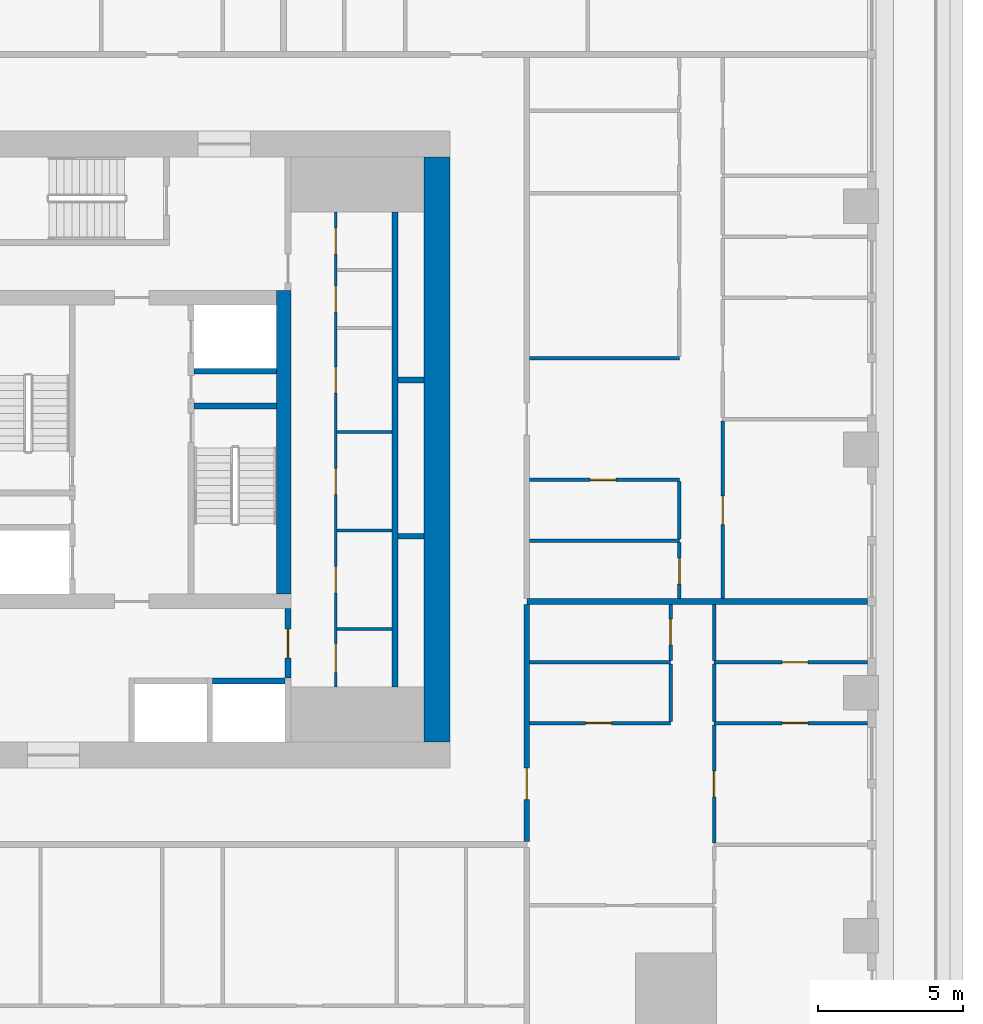
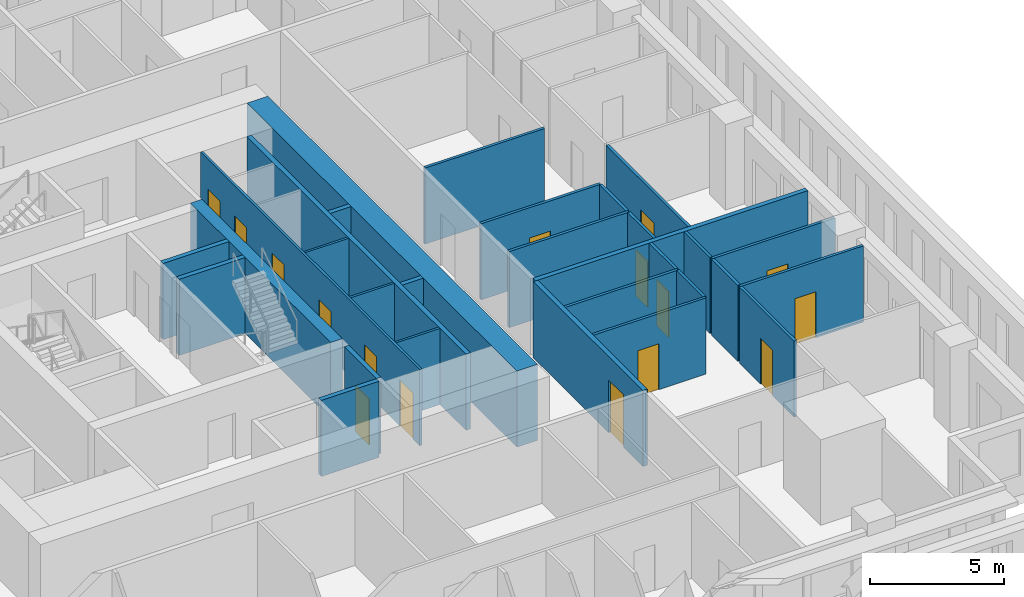
# One storey, part 5 of 14: 30 walls, 16 doors, 16 openings.
"""IFC4 building model written with IfcOpenShell, lengths in metres."""

from ifc_helpers import new_model, si_unit, direction, frame, frame_2d, origin, place, context, subcontext, project, spatial, rectangle, extrude, material, layer, layer_set, type_object, element, fill, save


model = new_model("IFC4")

# Units and contexts
model_context = context("Model", 3, precision=1e-05, world=origin(), true_north=direction((0.0, 1.0)))
body_context = subcontext(model_context, "Body", "Model", "MODEL_VIEW")
ifc_project = project(units=[si_unit("LENGTHUNIT", "METRE"), si_unit("AREAUNIT", "SQUARE_METRE"), si_unit("VOLUMEUNIT", "CUBIC_METRE"), si_unit("PLANEANGLEUNIT", "RADIAN"), si_unit("MASSUNIT", "GRAM", prefix="KILO")], contexts=[model_context])

# Site, building, storey
site_placement = place(None, origin())
site = spatial("IfcSite", under=ifc_project, at=site_placement, CompositionType="ELEMENT")
building_placement = place(site_placement, origin())
building = spatial("IfcBuilding", under=site, at=building_placement, Name="Khepri Terraces", CompositionType="ELEMENT")
storey_placement = place(building_placement, frame((0.0, 0.0, 106.5)))
storey = spatial("IfcBuildingStorey", under=building, at=storey_placement, Name="L25", CompositionType="ELEMENT", Elevation=106.5)

# Walls
ifc_material_1 = material(Name="Concrete C70/85", Category="concrete")
ifc_layer_1 = layer(ifc_material_1, 0.199951171875, Name="Concrete C70/85", Category="concrete")
ifc_layer_set_1 = layer_set([ifc_layer_1], Name="Concrete C70/85")
wall_type_1 = type_object("IfcWallType", Name="Core wall 200 C70/85", PredefinedType="SHEAR", material=ifc_layer_set_1)
wall_1_placement = place(storey_placement, frame((2.14990234375, 1.5, 0.0), z_axis=(0.0, 0.0, 1.0), x_axis=(1.0, 0.0, 0.0)))
element("IfcWall", 1, at=wall_1_placement, inside=storey, type_object=wall_type_1, Name="Core wall ST04 L25", PredefinedType="SHEAR", context=body_context, shape_type="SweptSolid", body=[
    extrude(rectangle(XDim=2.85009765625, YDim=0.199951171875, at=frame_2d((1.425048828125, 0.0))), origin(), (0.0, 0.0, 1.0), 3.47998046875),
])
wall_2_placement = place(storey_placement, frame((9.10009765625, -8.199951171875, 0.0), z_axis=(0.0, 0.0, 1.0), x_axis=(0.0, 1.0, 0.0)))
element("IfcWall", 2, at=wall_2_placement, inside=storey, type_object=wall_type_1, Name="Core wall SH05 L25", PredefinedType="SHEAR", context=body_context, shape_type="SweptSolid", body=[
    extrude(rectangle(XDim=16.39990234375, YDim=0.199951171875, at=frame_2d((8.199951171875, 0.0))), origin(), (0.0, 0.0, 1.0), 3.47998046875),
])
wall_3_placement = place(storey_placement, frame((2.800048828125, -8.0, 0.0), z_axis=(0.0, 0.0, 1.0), x_axis=(1.0, 0.0, 0.0)))
element("IfcWall", 3, at=wall_3_placement, inside=storey, type_object=wall_type_1, Name="Core wall SH07 L25", PredefinedType="SHEAR", context=body_context, shape_type="SweptSolid", body=[
    extrude(rectangle(XDim=2.5, YDim=0.199951171875, at=frame_2d((1.25, 0.0))), origin(), (0.0, 0.0, 1.0), 3.47998046875),
])
for number, where, z_axis, x_axis, name in (
    (4, (9.199951171875, -3.0, 0.0), (0.0, 0.0, 1.0), (1.0, 0.0, 0.0), "Core wall SH11 L25"),
    (5, (9.199951171875, 2.39990234375, 0.0), (0.0, 0.0, 1.0), (1.0, 0.0, 0.0), "Core wall SH16 L25"),
):
    element("IfcWall", number, at=place(storey_placement, frame(where, z_axis=z_axis, x_axis=x_axis)), inside=storey, type_object=wall_type_1, Name=name, PredefinedType="SHEAR", context=body_context, shape_type="SweptSolid", body=[
        extrude(rectangle(XDim=0.900146484375, YDim=0.199951171875, at=frame_2d((0.4501953125, 0.0))), origin(), (0.0, 0.0, 1.0), 3.47998046875),
    ])
wall_4_placement = place(storey_placement, frame((2.14990234375, 2.699951171875, 0.0), z_axis=(0.0, 0.0, 1.0), x_axis=(1.0, 0.0, 0.0)))
element("IfcWall", 6, at=wall_4_placement, inside=storey, type_object=wall_type_1, Name="Core wall SH18 L25", PredefinedType="SHEAR", context=body_context, shape_type="SweptSolid", body=[
    extrude(rectangle(XDim=2.85009765625, YDim=0.199951171875, at=frame_2d((1.425048828125, 0.0))), origin(), (0.0, 0.0, 1.0), 3.47998046875),
])
ifc_layer_2 = layer(ifc_material_1, 0.5, Name="Concrete C70/85", Category="concrete")
ifc_layer_set_2 = layer_set([ifc_layer_2], Name="Concrete C70/85")
wall_type_2 = type_object("IfcWallType", Name="Core wall 500 C70/85", PredefinedType="SHEAR", material=ifc_layer_set_2)
wall_5_placement = place(storey_placement, frame((5.25, -5.0, 0.0), z_axis=(0.0, 0.0, 1.0), x_axis=(0.0, 1.0, 0.0)))
element("IfcWall", 7, at=wall_5_placement, inside=storey, type_object=wall_type_2, Name="Core wall BX03 L25", PredefinedType="SHEAR", context=body_context, shape_type="SweptSolid", body=[
    extrude(rectangle(XDim=10.5, YDim=0.5, at=frame_2d((5.25, 0.0))), origin(), (0.0, 0.0, 1.0), 3.47998046875),
])
ifc_layer_3 = layer(ifc_material_1, 0.89990234375, Name="Concrete C70/85", Category="concrete")
ifc_layer_set_3 = layer_set([ifc_layer_3], Name="Concrete C70/85")
wall_type_3 = type_object("IfcWallType", Name="Core wall 900 C70/85", PredefinedType="SHEAR", material=ifc_layer_set_3)
wall_6_placement = place(storey_placement, frame((10.550048828125, -10.10009765625, 0.0), z_axis=(0.0, 0.0, 1.0), x_axis=(0.0, 1.0, 0.0)))
element("IfcWall", 8, at=wall_6_placement, inside=storey, type_object=wall_type_3, Name="Core wall OW-E L25", PredefinedType="SHEAR", context=body_context, shape_type="SweptSolid", body=[
    extrude(rectangle(XDim=20.2001953125, YDim=0.89990234375, at=frame_2d((10.10009765625, 0.0))), origin(), (0.0, 0.0, 1.0), 3.47998046875),
])

# Wall, openings, doors
ifc_material_2 = material(Name="Fire-rated gypsum board partition")
ifc_layer_4 = layer(ifc_material_2, 0.10009765625, Name="Fire-rated gypsum board partition")
ifc_layer_set_4 = layer_set([ifc_layer_4], Name="Fire-rated gypsum board partition")
wall_type_4 = type_object("IfcWallType", Name="WL-CORE-PART-100", PredefinedType="PARTITIONING", material=ifc_layer_set_4)
wall_7_placement = place(storey_placement, frame((7.050048828125, -8.199951171875, 0.0), z_axis=(0.0, 0.0, 1.0), x_axis=(0.0, 1.0, 0.0)))
wall_7 = element("IfcWall", 9, at=wall_7_placement, inside=storey, type_object=wall_type_4, Name="Core partition PT02 L25", PredefinedType="PARTITIONING", context=body_context, shape_type="SweptSolid", body=[
    extrude(rectangle(XDim=16.39990234375, YDim=0.10009765625, at=frame_2d((8.199951171875, 0.0))), origin(), (0.0, 0.0, 1.0), 3.47998046875),
])
opening_1_placement = place(wall_7_placement, frame((0.5, 0.0, 0.0)))
opening_1 = element("IfcOpeningElement", 10, at=opening_1_placement, cuts=wall_7, Name="Opening L25-C22", PredefinedType="OPENING", context=body_context, shape_type="SweptSolid", body=[
    extrude(rectangle(XDim=1.0, YDim=2.10009765625, at=frame_2d((0.5, 1.050048828125))), frame((0.0, 0.06005859375, 0.0), z_axis=(0.0, -1.0, 0.0), x_axis=(1.0, 0.0, 0.0)), (0.0, 0.0, 1.0), 0.1201171875),
])
opening_2_placement = place(wall_7_placement, frame((3.25, 0.0, 0.0)))
opening_2 = element("IfcOpeningElement", 11, at=opening_2_placement, cuts=wall_7, Name="Opening L25-C23", PredefinedType="OPENING", context=body_context, shape_type="SweptSolid", body=[
    extrude(rectangle(XDim=0.89990234375, YDim=2.10009765625, at=frame_2d((0.449951171875, 1.050048828125))), frame((0.0, 0.06005859375, 0.0), z_axis=(0.0, -1.0, 0.0), x_axis=(1.0, 0.0, 0.0)), (0.0, 0.0, 1.0), 0.1201171875),
])
opening_3_placement = place(wall_7_placement, frame((6.64990234375, 0.0, 0.0)))
opening_3 = element("IfcOpeningElement", 12, at=opening_3_placement, cuts=wall_7, Name="Opening L25-C24", PredefinedType="OPENING", context=body_context, shape_type="SweptSolid", body=[
    extrude(rectangle(XDim=0.89990234375, YDim=2.10009765625, at=frame_2d((0.449951171875, 1.050048828125))), frame((0.0, 0.06005859375, 0.0), z_axis=(0.0, -1.0, 0.0), x_axis=(1.0, 0.0, 0.0)), (0.0, 0.0, 1.0), 0.1201171875),
])
opening_4_placement = place(wall_7_placement, frame((10.14990234375, 0.0, 0.0)))
opening_4 = element("IfcOpeningElement", 13, at=opening_4_placement, cuts=wall_7, Name="Opening L25-C25", PredefinedType="OPENING", context=body_context, shape_type="SweptSolid", body=[
    extrude(rectangle(XDim=0.89990234375, YDim=2.10009765625, at=frame_2d((0.449951171875, 1.050048828125))), frame((0.0, 0.06005859375, 0.0), z_axis=(0.0, -1.0, 0.0), x_axis=(1.0, 0.0, 0.0)), (0.0, 0.0, 1.0), 0.1201171875),
])
opening_5_placement = place(wall_7_placement, frame((12.949951171875, 0.0, 0.0)))
opening_5 = element("IfcOpeningElement", 14, at=opening_5_placement, cuts=wall_7, Name="Opening L25-C26", PredefinedType="OPENING", context=body_context, shape_type="SweptSolid", body=[
    extrude(rectangle(XDim=0.89990234375, YDim=2.10009765625, at=frame_2d((0.449951171875, 1.050048828125))), frame((0.0, 0.06005859375, 0.0), z_axis=(0.0, -1.0, 0.0), x_axis=(1.0, 0.0, 0.0)), (0.0, 0.0, 1.0), 0.1201171875),
])
opening_6_placement = place(wall_7_placement, frame((14.949951171875, 0.0, 0.0)))
opening_6 = element("IfcOpeningElement", 15, at=opening_6_placement, cuts=wall_7, Name="Opening L25-C27", PredefinedType="OPENING", context=body_context, shape_type="SweptSolid", body=[
    extrude(rectangle(XDim=0.89990234375, YDim=2.10009765625, at=frame_2d((0.449951171875, 1.050048828125))), frame((0.0, 0.06005859375, 0.0), z_axis=(0.0, -1.0, 0.0), x_axis=(1.0, 0.0, 0.0)), (0.0, 0.0, 1.0), 0.1201171875),
])
ifc_material_3 = material(Name="Painted steel", Category="steel")
door_type_1 = type_object("IfcDoorType", Name="DR-CORE-SERVICE-900", OperationType="NOTDEFINED", PredefinedType="DOOR", material=ifc_material_3)
door_1_placement = place(opening_2_placement, frame((0.89990234375, 0.0, 0.0), z_axis=(0.0, 0.0, 1.0), x_axis=(-1.0, 0.0, 0.0)))
door_1 = element("IfcDoor", 16, at=door_1_placement, inside=storey, type_object=door_type_1, Name="Service room door L25-C23", OperationType="SINGLE_SWING_RIGHT", OverallHeight=2.10009765625, OverallWidth=0.89990234375, PredefinedType="DOOR", context=body_context, shape_type="SweptSolid", body=[
    extrude(rectangle(XDim=0.89990234375, YDim=2.10009765625, at=frame_2d((0.449951171875, 1.050048828125))), frame((0.0, 0.02490234375, 0.0), z_axis=(0.0, -1.0, 0.0), x_axis=(1.0, 0.0, 0.0)), (0.0, 0.0, 1.0), 0.050048828125),
])
fill(opening_2, door_1)
door_2_placement = place(opening_3_placement, frame((0.89990234375, 0.0, 0.0), z_axis=(0.0, 0.0, 1.0), x_axis=(-1.0, 0.0, 0.0)))
door_2 = element("IfcDoor", 17, at=door_2_placement, inside=storey, type_object=door_type_1, Name="Service room door L25-C24", OperationType="SINGLE_SWING_RIGHT", OverallHeight=2.10009765625, OverallWidth=0.89990234375, PredefinedType="DOOR", context=body_context, shape_type="SweptSolid", body=[
    extrude(rectangle(XDim=0.89990234375, YDim=2.10009765625, at=frame_2d((0.449951171875, 1.050048828125))), frame((0.0, 0.02490234375, 0.0), z_axis=(0.0, -1.0, 0.0), x_axis=(1.0, 0.0, 0.0)), (0.0, 0.0, 1.0), 0.050048828125),
])
fill(opening_3, door_2)
door_3_placement = place(opening_4_placement, frame((0.89990234375, 0.0, 0.0), z_axis=(0.0, 0.0, 1.0), x_axis=(-1.0, 0.0, 0.0)))
door_3 = element("IfcDoor", 18, at=door_3_placement, inside=storey, type_object=door_type_1, Name="Service room door L25-C25", OperationType="SINGLE_SWING_LEFT", OverallHeight=2.10009765625, OverallWidth=0.89990234375, PredefinedType="DOOR", context=body_context, shape_type="SweptSolid", body=[
    extrude(rectangle(XDim=0.89990234375, YDim=2.10009765625, at=frame_2d((0.449951171875, 1.050048828125))), frame((0.0, 0.02490234375, 0.0), z_axis=(0.0, -1.0, 0.0), x_axis=(1.0, 0.0, 0.0)), (0.0, 0.0, 1.0), 0.050048828125),
])
fill(opening_4, door_3)
door_4_placement = place(opening_5_placement, frame((0.89990234375, 0.0, 0.0), z_axis=(0.0, 0.0, 1.0), x_axis=(-1.0, 0.0, 0.0)))
door_4 = element("IfcDoor", 19, at=door_4_placement, inside=storey, type_object=door_type_1, Name="Service room door L25-C26", OperationType="SINGLE_SWING_LEFT", OverallHeight=2.10009765625, OverallWidth=0.89990234375, PredefinedType="DOOR", context=body_context, shape_type="SweptSolid", body=[
    extrude(rectangle(XDim=0.89990234375, YDim=2.10009765625, at=frame_2d((0.449951171875, 1.050048828125))), frame((0.0, 0.02490234375, 0.0), z_axis=(0.0, -1.0, 0.0), x_axis=(1.0, 0.0, 0.0)), (0.0, 0.0, 1.0), 0.050048828125),
])
fill(opening_5, door_4)
door_5_placement = place(opening_6_placement, frame((0.89990234375, 0.0, 0.0), z_axis=(0.0, 0.0, 1.0), x_axis=(-1.0, 0.0, 0.0)))
door_5 = element("IfcDoor", 20, at=door_5_placement, inside=storey, type_object=door_type_1, Name="Service room door L25-C27", OperationType="SINGLE_SWING_LEFT", OverallHeight=2.10009765625, OverallWidth=0.89990234375, PredefinedType="DOOR", context=body_context, shape_type="SweptSolid", body=[
    extrude(rectangle(XDim=0.89990234375, YDim=2.10009765625, at=frame_2d((0.449951171875, 1.050048828125))), frame((0.0, 0.02490234375, 0.0), z_axis=(0.0, -1.0, 0.0), x_axis=(1.0, 0.0, 0.0)), (0.0, 0.0, 1.0), 0.050048828125),
])
fill(opening_6, door_5)
ifc_material_4 = material(Name="Timber veneer", Category="wood")
door_type_2 = type_object("IfcDoorType", Name="DR-CORE-WC-1000", OperationType="NOTDEFINED", PredefinedType="DOOR", material=ifc_material_4)
door_6_placement = place(opening_1_placement, frame((1.0, 0.0, 0.0), z_axis=(0.0, 0.0, 1.0), x_axis=(-1.0, 0.0, 0.0)))
door_6 = element("IfcDoor", 21, at=door_6_placement, inside=storey, type_object=door_type_2, Name="WC door L25-C22", OperationType="SINGLE_SWING_RIGHT", OverallHeight=2.10009765625, OverallWidth=1.0, PredefinedType="DOOR", context=body_context, shape_type="SweptSolid", body=[
    extrude(rectangle(XDim=1.0, YDim=2.10009765625, at=frame_2d((0.5, 1.050048828125))), frame((0.0, 0.02490234375, 0.0), z_axis=(0.0, -1.0, 0.0), x_axis=(1.0, 0.0, 0.0)), (0.0, 0.0, 1.0), 0.050048828125),
])
fill(opening_1, door_6)

# Walls
for number, where, z_axis, x_axis, name in (
    (22, (7.10009765625, -6.199951171875, 0.0), (0.0, 0.0, 1.0), (1.0, 0.0, 0.0), "Core partition PT04 L25"),
    (23, (7.10009765625, -2.800048828125, 0.0), (0.0, 0.0, 1.0), (1.0, 0.0, 0.0), "Core partition PT05 L25"),
    (24, (7.10009765625, 0.60009765625, 0.0), (0.0, 0.0, 1.0), (1.0, 0.0, 0.0), "Core partition PT06 L25"),
):
    element("IfcWall", number, at=place(storey_placement, frame(where, z_axis=z_axis, x_axis=x_axis)), inside=storey, type_object=wall_type_4, Name=name, PredefinedType="PARTITIONING", context=body_context, shape_type="SweptSolid", body=[
        extrude(rectangle(XDim=1.89990234375, YDim=0.10009765625, at=frame_2d((0.949951171875, 0.0))), origin(), (0.0, 0.0, 1.0), 3.47998046875),
    ])

# Wall, opening, door
ifc_layer_5 = layer(ifc_material_2, 0.199951171875, Name="Fire-rated gypsum board partition")
ifc_layer_set_5 = layer_set([ifc_layer_5], Name="Fire-rated gypsum board partition")
wall_type_5 = type_object("IfcWallType", Name="WL-CORE-PART-200", PredefinedType="PARTITIONING", material=ifc_layer_set_5)
wall_8_placement = place(storey_placement, frame((5.39990234375, -7.89990234375, 0.0), z_axis=(0.0, 0.0, 1.0), x_axis=(0.0, 1.0, 0.0)))
wall_8 = element("IfcWall", 25, at=wall_8_placement, inside=storey, type_object=wall_type_5, Name="Core partition PT03 L25", PredefinedType="PARTITIONING", context=body_context, shape_type="SweptSolid", body=[
    extrude(rectangle(XDim=2.39990234375, YDim=0.199951171875, at=frame_2d((1.199951171875, 0.0))), origin(), (0.0, 0.0, 1.0), 3.47998046875),
])
opening_7_placement = place(wall_8_placement, frame((0.699951171875, 0.0, 0.0)))
opening_7 = element("IfcOpeningElement", 26, at=opening_7_placement, cuts=wall_8, Name="Opening L25-C19", PredefinedType="OPENING", context=body_context, shape_type="SweptSolid", body=[
    extrude(rectangle(XDim=1.0, YDim=2.10009765625, at=frame_2d((0.5, 1.050048828125))), frame((0.0, 0.10986328125, 0.0), z_axis=(0.0, -1.0, 0.0), x_axis=(1.0, 0.0, 0.0)), (0.0, 0.0, 1.0), 0.219970703125),
])
door_type_3 = type_object("IfcDoorType", Name="DR-CORE-LOBBY-1000", OperationType="NOTDEFINED", PredefinedType="DOOR", material=ifc_material_3)
door_7_placement = place(opening_7_placement, origin())
door_7 = element("IfcDoor", 27, at=door_7_placement, inside=storey, type_object=door_type_3, Name="Lobby door L25-C19", OperationType="SINGLE_SWING_RIGHT", OverallHeight=2.10009765625, OverallWidth=1.0, PredefinedType="DOOR", context=body_context, shape_type="SweptSolid", body=[
    extrude(rectangle(XDim=1.0, YDim=2.10009765625, at=frame_2d((0.5, 1.050048828125))), frame((0.0, 0.02490234375, 0.0), z_axis=(0.0, -1.0, 0.0), x_axis=(1.0, 0.0, 0.0)), (0.0, 0.0, 1.0), 0.050048828125),
])
fill(opening_7, door_7)

ifc_material_5 = material(Name="Fire-rated gypsum plasterboard partition, mineral wool")
ifc_layer_6 = layer(ifc_material_5, 0.199951171875, Name="Fire-rated gypsum plasterboard partition, mineral wool")
ifc_layer_set_6 = layer_set([ifc_layer_6], Name="Fire-rated gypsum plasterboard partition, mineral wool")
wall_type_6 = type_object("IfcWallType", Name="WL-CORR-200", PredefinedType="PARTITIONING", material=ifc_layer_set_6)
wall_9_placement = place(storey_placement, frame((13.64990234375, -13.550048828125, 0.0), z_axis=(0.0, 0.0, 1.0), x_axis=(0.0, 1.0, 0.0)))
wall_9 = element("IfcWall", 28, at=wall_9_placement, inside=storey, type_object=wall_type_6, Name="Partition P-027 L25", PredefinedType="PARTITIONING", context=body_context, shape_type="SweptSolid", body=[
    extrude(rectangle(XDim=8.199951171875, YDim=0.199951171875, at=frame_2d((4.10009765625, 0.0))), origin(), (0.0, 0.0, 1.0), 3.47998046875),
])
opening_8_placement = place(wall_9_placement, frame((1.449951171875, 0.0, 0.0)))
opening_8 = element("IfcOpeningElement", 29, at=opening_8_placement, cuts=wall_9, Name="Opening D1", PredefinedType="OPENING", context=body_context, shape_type="SweptSolid", body=[
    extrude(rectangle(XDim=1.10009765625, YDim=2.39990234375, at=frame_2d((0.550048828125, 1.199951171875))), frame((0.0, 0.10986328125, 0.0), z_axis=(0.0, -1.0, 0.0), x_axis=(1.0, 0.0, 0.0)), (0.0, 0.0, 1.0), 0.219970703125),
])
ifc_material_6 = material(Name="Solid-core timber door leaf, flat entrance door", Category="wood")
door_type_4 = type_object("IfcDoorType", Name="DR-ENT-1100", OperationType="NOTDEFINED", PredefinedType="DOOR", material=ifc_material_6)
door_8_placement = place(opening_8_placement, frame((1.10009765625, 0.0, 0.0), z_axis=(0.0, 0.0, 1.0), x_axis=(-1.0, 0.0, 0.0)))
door_8 = element("IfcDoor", 30, at=door_8_placement, inside=storey, type_object=door_type_4, Name="Flat B1 entrance door", OperationType="SINGLE_SWING_RIGHT", OverallHeight=2.39990234375, OverallWidth=1.10009765625, PredefinedType="DOOR", context=body_context, shape_type="SweptSolid", body=[
    extrude(rectangle(XDim=1.10009765625, YDim=2.39990234375, at=frame_2d((0.550048828125, 1.199951171875))), frame((0.0, 0.02490234375, 0.0), z_axis=(0.0, -1.0, 0.0), x_axis=(1.0, 0.0, 0.0)), (0.0, 0.0, 1.0), 0.050048828125),
])
fill(opening_8, door_8)

# Wall
wall_10_placement = place(storey_placement, frame((13.64990234375, -5.25, 0.0), z_axis=(0.0, 0.0, 1.0), x_axis=(1.0, 0.0, 0.0)))
element("IfcWall", 31, at=wall_10_placement, inside=storey, type_object=wall_type_6, Name="Partition P-040 L25", PredefinedType="PARTITIONING", context=body_context, shape_type="SweptSolid", body=[
    extrude(rectangle(XDim=11.77001953125, YDim=0.199951171875, at=frame_2d((5.885009765625, 0.0))), origin(), (0.0, 0.0, 1.0), 3.47998046875),
])

# Wall, opening, door
ifc_material_7 = material(Name="Gypsum plasterboard partition")
ifc_layer_7 = layer(ifc_material_7, 0.1201171875, Name="Gypsum plasterboard partition")
ifc_layer_set_7 = layer_set([ifc_layer_7], Name="Gypsum plasterboard partition")
wall_type_7 = type_object("IfcWallType", Name="WL-PART-120", PredefinedType="PARTITIONING", material=ifc_layer_set_7)
wall_11_placement = place(storey_placement, frame((20.1201171875, -13.590087890625, 0.0), z_axis=(0.0, 0.0, 1.0), x_axis=(0.0, 1.0, 0.0)))
wall_11 = element("IfcWall", 32, at=wall_11_placement, inside=storey, type_object=wall_type_7, Name="Partition P-023 L25", PredefinedType="PARTITIONING", context=body_context, shape_type="SweptSolid", body=[
    extrude(rectangle(XDim=4.080078125, YDim=0.1201171875, at=frame_2d((2.0400390625, 0.0))), origin(), (0.0, 0.0, 1.0), 3.47998046875),
])
opening_9_placement = place(wall_11_placement, frame((1.590087890625, 0.0, 0.0)))
opening_9 = element("IfcOpeningElement", 33, at=opening_9_placement, cuts=wall_11, Name="Opening D3", PredefinedType="OPENING", context=body_context, shape_type="SweptSolid", body=[
    extrude(rectangle(XDim=0.89990234375, YDim=2.10009765625, at=frame_2d((0.449951171875, 1.050048828125))), frame((0.0, 0.070068359375, 0.0), z_axis=(0.0, -1.0, 0.0), x_axis=(1.0, 0.0, 0.0)), (0.0, 0.0, 1.0), 0.14013671875),
])
ifc_material_8 = material(Name="Timber door leaf", Category="wood")
door_type_5 = type_object("IfcDoorType", Name="DR-INT-900", OperationType="NOTDEFINED", PredefinedType="DOOR", material=ifc_material_8)
door_9_placement = place(opening_9_placement, frame((0.89990234375, 0.0, 0.0), z_axis=(0.0, 0.0, 1.0), x_axis=(-1.0, 0.0, 0.0)))
door_9 = element("IfcDoor", 34, at=door_9_placement, inside=storey, type_object=door_type_5, Name="Door Master Bedroom", OperationType="SINGLE_SWING_RIGHT", OverallHeight=2.10009765625, OverallWidth=0.89990234375, PredefinedType="DOOR", context=body_context, shape_type="SweptSolid", body=[
    extrude(rectangle(XDim=0.89990234375, YDim=2.10009765625, at=frame_2d((0.449951171875, 1.050048828125))), frame((0.0, 0.02490234375, 0.0), z_axis=(0.0, -1.0, 0.0), x_axis=(1.0, 0.0, 0.0)), (0.0, 0.0, 1.0), 0.050048828125),
])
fill(opening_9, door_9)

wall_12_placement = place(storey_placement, frame((13.75, -9.449951171875, 0.0), z_axis=(0.0, 0.0, 1.0), x_axis=(1.0, 0.0, 0.0)))
wall_12 = element("IfcWall", 35, at=wall_12_placement, inside=storey, type_object=wall_type_7, Name="Partition P-030 L25", PredefinedType="PARTITIONING", context=body_context, shape_type="SweptSolid", body=[
    extrude(rectangle(XDim=4.8701171875, YDim=0.1201171875, at=frame_2d((2.43505859375, 0.0))), origin(), (0.0, 0.0, 1.0), 3.47998046875),
])
opening_10_placement = place(wall_12_placement, frame((1.93505859375, 0.0, 0.0)))
opening_10 = element("IfcOpeningElement", 36, at=opening_10_placement, cuts=wall_12, Name="Opening D4", PredefinedType="OPENING", context=body_context, shape_type="SweptSolid", body=[
    extrude(rectangle(XDim=0.89990234375, YDim=2.10009765625, at=frame_2d((0.449951171875, 1.050048828125))), frame((0.0, 0.070068359375, 0.0), z_axis=(0.0, -1.0, 0.0), x_axis=(1.0, 0.0, 0.0)), (0.0, 0.0, 1.0), 0.14013671875),
])
ifc_material_9 = material(Name="Timber door leaf, moisture resistant", Category="wood")
door_type_6 = type_object("IfcDoorType", Name="DR-WET-900", OperationType="NOTDEFINED", PredefinedType="DOOR", material=ifc_material_9)
door_10_placement = place(opening_10_placement, origin())
door_10 = element("IfcDoor", 37, at=door_10_placement, inside=storey, type_object=door_type_6, Name="Door Guest Bathroom", OperationType="SINGLE_SWING_LEFT", OverallHeight=2.10009765625, OverallWidth=0.89990234375, PredefinedType="DOOR", context=body_context, shape_type="SweptSolid", body=[
    extrude(rectangle(XDim=0.89990234375, YDim=2.10009765625, at=frame_2d((0.449951171875, 1.050048828125))), frame((0.0, 0.02490234375, 0.0), z_axis=(0.0, -1.0, 0.0), x_axis=(1.0, 0.0, 0.0)), (0.0, 0.0, 1.0), 0.050048828125),
])
fill(opening_10, door_10)

wall_13_placement = place(storey_placement, frame((20.1201171875, -9.449951171875, 0.0), z_axis=(0.0, 0.0, 1.0), x_axis=(1.0, 0.0, 0.0)))
wall_13 = element("IfcWall", 38, at=wall_13_placement, inside=storey, type_object=wall_type_7, Name="Partition P-031 L25", PredefinedType="PARTITIONING", context=body_context, shape_type="SweptSolid", body=[
    extrude(rectangle(XDim=5.2998046875, YDim=0.1201171875, at=frame_2d((2.64990234375, 0.0))), origin(), (0.0, 0.0, 1.0), 3.47998046875),
])
opening_11_placement = place(wall_13_placement, frame((2.35009765625, 0.0, 0.0)))
opening_11 = element("IfcOpeningElement", 39, at=opening_11_placement, cuts=wall_13, Name="Opening D3", PredefinedType="OPENING", context=body_context, shape_type="SweptSolid", body=[
    extrude(rectangle(XDim=0.89990234375, YDim=2.10009765625, at=frame_2d((0.449951171875, 1.050048828125))), frame((0.0, 0.070068359375, 0.0), z_axis=(0.0, -1.0, 0.0), x_axis=(1.0, 0.0, 0.0)), (0.0, 0.0, 1.0), 0.14013671875),
])
door_11_placement = place(opening_11_placement, origin())
door_11 = element("IfcDoor", 40, at=door_11_placement, inside=storey, type_object=door_type_5, Name="Door Dressing Room", OperationType="SINGLE_SWING_RIGHT", OverallHeight=2.10009765625, OverallWidth=0.89990234375, PredefinedType="DOOR", context=body_context, shape_type="SweptSolid", body=[
    extrude(rectangle(XDim=0.89990234375, YDim=2.10009765625, at=frame_2d((0.449951171875, 1.050048828125))), frame((0.0, 0.02490234375, 0.0), z_axis=(0.0, -1.0, 0.0), x_axis=(1.0, 0.0, 0.0)), (0.0, 0.0, 1.0), 0.050048828125),
])
fill(opening_11, door_11)

# Walls
for number, where, z_axis, x_axis, name in (
    (41, (18.6201171875, -9.389892578125, 0.0), (0.0, 0.0, 1.0), (0.0, 1.0, 0.0), "Partition P-032 L25"),
    (42, (20.1201171875, -9.389892578125, 0.0), (0.0, 0.0, 1.0), (0.0, 1.0, 0.0), "Partition P-033 L25"),
):
    element("IfcWall", number, at=place(storey_placement, frame(where, z_axis=z_axis, x_axis=x_axis)), inside=storey, type_object=wall_type_7, Name=name, PredefinedType="PARTITIONING", context=body_context, shape_type="SweptSolid", body=[
        extrude(rectangle(XDim=1.97998046875, YDim=0.1201171875, at=frame_2d((0.989990234375, 0.0))), origin(), (0.0, 0.0, 1.0), 3.47998046875),
    ])
wall_14_placement = place(storey_placement, frame((13.75, -7.35009765625, 0.0), z_axis=(0.0, 0.0, 1.0), x_axis=(1.0, 0.0, 0.0)))
element("IfcWall", 43, at=wall_14_placement, inside=storey, type_object=wall_type_7, Name="Partition P-035 L25", PredefinedType="PARTITIONING", context=body_context, shape_type="SweptSolid", body=[
    extrude(rectangle(XDim=4.8701171875, YDim=0.1201171875, at=frame_2d((2.43505859375, 0.0))), origin(), (0.0, 0.0, 1.0), 3.47998046875),
])

# Wall, opening, door
wall_15_placement = place(storey_placement, frame((20.1201171875, -7.35009765625, 0.0), z_axis=(0.0, 0.0, 1.0), x_axis=(1.0, 0.0, 0.0)))
wall_15 = element("IfcWall", 44, at=wall_15_placement, inside=storey, type_object=wall_type_7, Name="Partition P-036 L25", PredefinedType="PARTITIONING", context=body_context, shape_type="SweptSolid", body=[
    extrude(rectangle(XDim=5.2998046875, YDim=0.1201171875, at=frame_2d((2.64990234375, 0.0))), origin(), (0.0, 0.0, 1.0), 3.47998046875),
])
opening_12_placement = place(wall_15_placement, frame((2.35009765625, 0.0, 0.0)))
opening_12 = element("IfcOpeningElement", 45, at=opening_12_placement, cuts=wall_15, Name="Opening D4", PredefinedType="OPENING", context=body_context, shape_type="SweptSolid", body=[
    extrude(rectangle(XDim=0.89990234375, YDim=2.10009765625, at=frame_2d((0.449951171875, 1.050048828125))), frame((0.0, 0.070068359375, 0.0), z_axis=(0.0, -1.0, 0.0), x_axis=(1.0, 0.0, 0.0)), (0.0, 0.0, 1.0), 0.14013671875),
])
door_12_placement = place(opening_12_placement, origin())
door_12 = element("IfcDoor", 46, at=door_12_placement, inside=storey, type_object=door_type_6, Name="Door Bathroom", OperationType="SINGLE_SWING_RIGHT", OverallHeight=2.10009765625, OverallWidth=0.89990234375, PredefinedType="DOOR", context=body_context, shape_type="SweptSolid", body=[
    extrude(rectangle(XDim=0.89990234375, YDim=2.10009765625, at=frame_2d((0.449951171875, 1.050048828125))), frame((0.0, 0.02490234375, 0.0), z_axis=(0.0, -1.0, 0.0), x_axis=(1.0, 0.0, 0.0)), (0.0, 0.0, 1.0), 0.050048828125),
])
fill(opening_12, door_12)

wall_16_placement = place(storey_placement, frame((18.6201171875, -7.2900390625, 0.0), z_axis=(0.0, 0.0, 1.0), x_axis=(0.0, 1.0, 0.0)))
wall_16 = element("IfcWall", 47, at=wall_16_placement, inside=storey, type_object=wall_type_7, Name="Partition P-038 L25", PredefinedType="PARTITIONING", context=body_context, shape_type="SweptSolid", body=[
    extrude(rectangle(XDim=1.93994140625, YDim=0.1201171875, at=frame_2d((0.969970703125, 0.0))), origin(), (0.0, 0.0, 1.0), 3.47998046875),
])
opening_13_placement = place(wall_16_placement, frame((0.5400390625, 0.0, 0.0)))
opening_13 = element("IfcOpeningElement", 48, at=opening_13_placement, cuts=wall_16, Name="Opening D3", PredefinedType="OPENING", context=body_context, shape_type="SweptSolid", body=[
    extrude(rectangle(XDim=0.89990234375, YDim=2.10009765625, at=frame_2d((0.449951171875, 1.050048828125))), frame((0.0, 0.070068359375, 0.0), z_axis=(0.0, -1.0, 0.0), x_axis=(1.0, 0.0, 0.0)), (0.0, 0.0, 1.0), 0.14013671875),
])
door_13_placement = place(opening_13_placement, origin())
door_13 = element("IfcDoor", 49, at=door_13_placement, inside=storey, type_object=door_type_5, Name="Door Kitchen", OperationType="SINGLE_SWING_RIGHT", OverallHeight=2.10009765625, OverallWidth=0.89990234375, PredefinedType="DOOR", context=body_context, shape_type="SweptSolid", body=[
    extrude(rectangle(XDim=0.89990234375, YDim=2.10009765625, at=frame_2d((0.449951171875, 1.050048828125))), frame((0.0, 0.02490234375, 0.0), z_axis=(0.0, -1.0, 0.0), x_axis=(1.0, 0.0, 0.0)), (0.0, 0.0, 1.0), 0.050048828125),
])
fill(opening_13, door_13)

# Wall
wall_17_placement = place(storey_placement, frame((20.1201171875, -7.2900390625, 0.0), z_axis=(0.0, 0.0, 1.0), x_axis=(0.0, 1.0, 0.0)))
element("IfcWall", 50, at=wall_17_placement, inside=storey, type_object=wall_type_7, Name="Partition P-039 L25", PredefinedType="PARTITIONING", context=body_context, shape_type="SweptSolid", body=[
    extrude(rectangle(XDim=1.93994140625, YDim=0.1201171875, at=frame_2d((0.969970703125, 0.0))), origin(), (0.0, 0.0, 1.0), 3.47998046875),
])

# Wall, opening, door
wall_18_placement = place(storey_placement, frame((18.919921875, -5.14990234375, 0.0), z_axis=(0.0, 0.0, 1.0), x_axis=(0.0, 1.0, 0.0)))
wall_18 = element("IfcWall", 51, at=wall_18_placement, inside=storey, type_object=wall_type_7, Name="Partition P-042 L25", PredefinedType="PARTITIONING", context=body_context, shape_type="SweptSolid", body=[
    extrude(rectangle(XDim=1.93994140625, YDim=0.1201171875, at=frame_2d((0.969970703125, 0.0))), origin(), (0.0, 0.0, 1.0), 3.47998046875),
])
opening_14_placement = place(wall_18_placement, frame((0.5, 0.0, 0.0)))
opening_14 = element("IfcOpeningElement", 52, at=opening_14_placement, cuts=wall_18, Name="Opening D4", PredefinedType="OPENING", context=body_context, shape_type="SweptSolid", body=[
    extrude(rectangle(XDim=0.89990234375, YDim=2.10009765625, at=frame_2d((0.449951171875, 1.050048828125))), frame((0.0, 0.070068359375, 0.0), z_axis=(0.0, -1.0, 0.0), x_axis=(1.0, 0.0, 0.0)), (0.0, 0.0, 1.0), 0.14013671875),
])
door_14_placement = place(opening_14_placement, origin())
door_14 = element("IfcDoor", 53, at=door_14_placement, inside=storey, type_object=door_type_6, Name="Door Powder Room", OperationType="SINGLE_SWING_LEFT", OverallHeight=2.10009765625, OverallWidth=0.89990234375, PredefinedType="DOOR", context=body_context, shape_type="SweptSolid", body=[
    extrude(rectangle(XDim=0.89990234375, YDim=2.10009765625, at=frame_2d((0.449951171875, 1.050048828125))), frame((0.0, 0.02490234375, 0.0), z_axis=(0.0, -1.0, 0.0), x_axis=(1.0, 0.0, 0.0)), (0.0, 0.0, 1.0), 0.050048828125),
])
fill(opening_14, door_14)

wall_19_placement = place(storey_placement, frame((20.419921875, -5.14990234375, 0.0), z_axis=(0.0, 0.0, 1.0), x_axis=(0.0, 1.0, 0.0)))
wall_19 = element("IfcWall", 54, at=wall_19_placement, inside=storey, type_object=wall_type_7, Name="Partition P-043 L25", PredefinedType="PARTITIONING", context=body_context, shape_type="SweptSolid", body=[
    extrude(rectangle(XDim=6.139892578125, YDim=0.1201171875, at=frame_2d((3.06982421875, 0.0))), origin(), (0.0, 0.0, 1.0), 3.47998046875),
])
opening_15_placement = place(wall_19_placement, frame((2.550048828125, 0.0, 0.0)))
opening_15 = element("IfcOpeningElement", 55, at=opening_15_placement, cuts=wall_19, Name="Opening D2", PredefinedType="OPENING", context=body_context, shape_type="SweptSolid", body=[
    extrude(rectangle(XDim=1.0, YDim=2.10009765625, at=frame_2d((0.5, 1.050048828125))), frame((0.0, 0.070068359375, 0.0), z_axis=(0.0, -1.0, 0.0), x_axis=(1.0, 0.0, 0.0)), (0.0, 0.0, 1.0), 0.14013671875),
])
ifc_material_10 = material(Name="Timber door leaf, living room door", Category="wood")
door_type_7 = type_object("IfcDoorType", Name="DR-INT-1000", OperationType="NOTDEFINED", PredefinedType="DOOR", material=ifc_material_10)
door_15_placement = place(opening_15_placement, frame((1.0, 0.0, 0.0), z_axis=(0.0, 0.0, 1.0), x_axis=(-1.0, 0.0, 0.0)))
door_15 = element("IfcDoor", 56, at=door_15_placement, inside=storey, type_object=door_type_7, Name="Door Living Room", OperationType="SINGLE_SWING_RIGHT", OverallHeight=2.10009765625, OverallWidth=1.0, PredefinedType="DOOR", context=body_context, shape_type="SweptSolid", body=[
    extrude(rectangle(XDim=1.0, YDim=2.10009765625, at=frame_2d((0.5, 1.050048828125))), frame((0.0, 0.02490234375, 0.0), z_axis=(0.0, -1.0, 0.0), x_axis=(1.0, 0.0, 0.0)), (0.0, 0.0, 1.0), 0.050048828125),
])
fill(opening_15, door_15)

# Walls
wall_20_placement = place(storey_placement, frame((13.75, -3.14990234375, 0.0), z_axis=(0.0, 0.0, 1.0), x_axis=(1.0, 0.0, 0.0)))
element("IfcWall", 57, at=wall_20_placement, inside=storey, type_object=wall_type_7, Name="Partition P-044 L25", PredefinedType="PARTITIONING", context=body_context, shape_type="SweptSolid", body=[
    extrude(rectangle(XDim=5.169921875, YDim=0.1201171875, at=frame_2d((2.5849609375, 0.0))), origin(), (0.0, 0.0, 1.0), 3.47998046875),
])
wall_21_placement = place(storey_placement, frame((18.919921875, -3.090087890625, 0.0), z_axis=(0.0, 0.0, 1.0), x_axis=(0.0, 1.0, 0.0)))
element("IfcWall", 58, at=wall_21_placement, inside=storey, type_object=wall_type_7, Name="Partition P-045 L25", PredefinedType="PARTITIONING", context=body_context, shape_type="SweptSolid", body=[
    extrude(rectangle(XDim=1.97998046875, YDim=0.1201171875, at=frame_2d((0.989990234375, 0.0))), origin(), (0.0, 0.0, 1.0), 3.47998046875),
])

# Wall, opening, door
wall_22_placement = place(storey_placement, frame((13.75, -1.050048828125, 0.0), z_axis=(0.0, 0.0, 1.0), x_axis=(1.0, 0.0, 0.0)))
wall_22 = element("IfcWall", 59, at=wall_22_placement, inside=storey, type_object=wall_type_7, Name="Partition P-048 L25", PredefinedType="PARTITIONING", context=body_context, shape_type="SweptSolid", body=[
    extrude(rectangle(XDim=5.169921875, YDim=0.1201171875, at=frame_2d((2.5849609375, 0.0))), origin(), (0.0, 0.0, 1.0), 3.47998046875),
])
opening_16_placement = place(wall_22_placement, frame((2.0849609375, 0.0, 0.0)))
opening_16 = element("IfcOpeningElement", 60, at=opening_16_placement, cuts=wall_22, Name="Opening D4", PredefinedType="OPENING", context=body_context, shape_type="SweptSolid", body=[
    extrude(rectangle(XDim=0.89990234375, YDim=2.10009765625, at=frame_2d((0.449951171875, 1.050048828125))), frame((0.0, 0.070068359375, 0.0), z_axis=(0.0, -1.0, 0.0), x_axis=(1.0, 0.0, 0.0)), (0.0, 0.0, 1.0), 0.14013671875),
])
door_16_placement = place(opening_16_placement, frame((0.89990234375, 0.0, 0.0), z_axis=(0.0, 0.0, 1.0), x_axis=(-1.0, 0.0, 0.0)))
door_16 = element("IfcDoor", 61, at=door_16_placement, inside=storey, type_object=door_type_6, Name="Door Guest Bathroom", OperationType="SINGLE_SWING_RIGHT", OverallHeight=2.10009765625, OverallWidth=0.89990234375, PredefinedType="DOOR", context=body_context, shape_type="SweptSolid", body=[
    extrude(rectangle(XDim=0.89990234375, YDim=2.10009765625, at=frame_2d((0.449951171875, 1.050048828125))), frame((0.0, 0.02490234375, 0.0), z_axis=(0.0, -1.0, 0.0), x_axis=(1.0, 0.0, 0.0)), (0.0, 0.0, 1.0), 0.050048828125),
])
fill(opening_16, door_16)

# Wall
wall_23_placement = place(storey_placement, frame((13.75, 3.14990234375, 0.0), z_axis=(0.0, 0.0, 1.0), x_axis=(1.0, 0.0, 0.0)))
element("IfcWall", 62, at=wall_23_placement, inside=storey, type_object=wall_type_7, Name="Partition P-052 L25", PredefinedType="PARTITIONING", context=body_context, shape_type="SweptSolid", body=[
    extrude(rectangle(XDim=5.169921875, YDim=0.1201171875, at=frame_2d((2.5849609375, 0.0))), origin(), (0.0, 0.0, 1.0), 3.47998046875),
])

save(model, "model.ifc")
